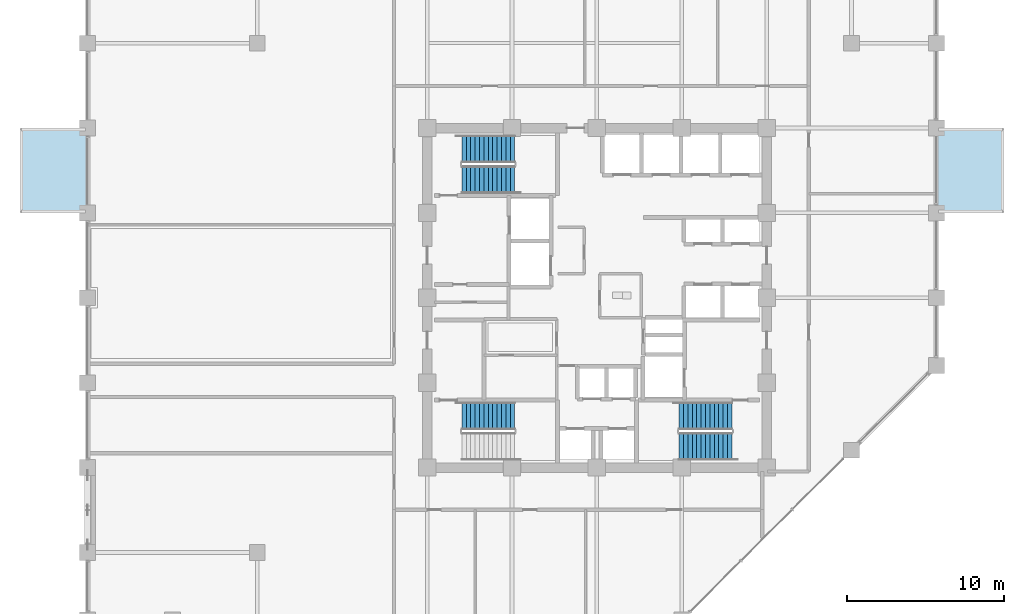
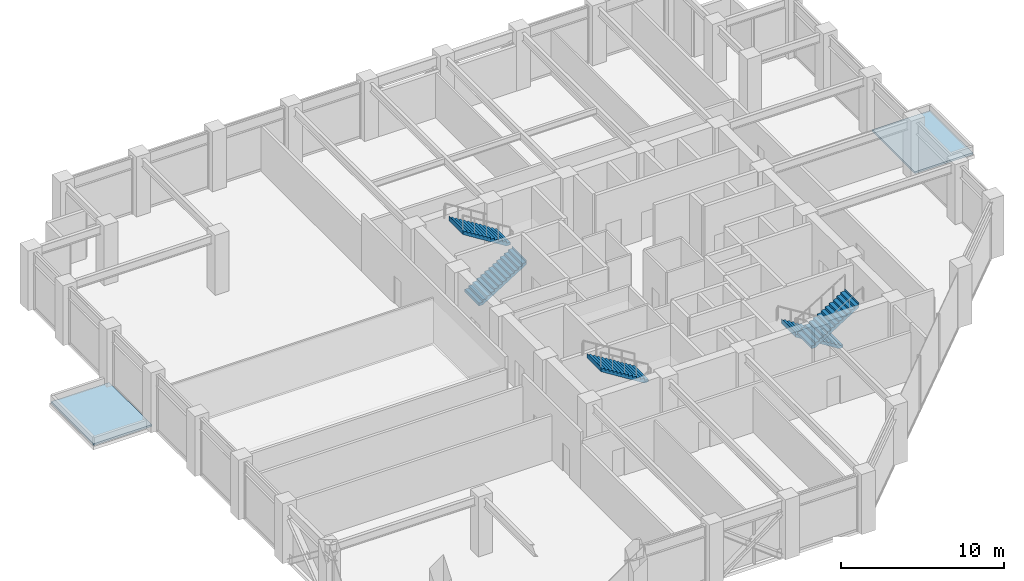
# One storey, part 22 of 25: 5 stair flights, 2 roofs, 3 elements without a shape of their own.
"""IFC4 building model written with IfcOpenShell, lengths in metres."""

from ifc_helpers import new_model, si_unit, direction, frame, origin, place, context, subcontext, project, spatial, polyline, outline, extrude, material, layer, layer_set, type_object, element, aggregate, save


model = new_model("IFC4")

# Units and contexts
model_context = context("Model", 3, precision=1e-05, world=origin(), true_north=direction((0.0, 1.0)))
body_context = subcontext(model_context, "Body", "Model", "MODEL_VIEW")
ifc_project = project(units=[si_unit("LENGTHUNIT", "METRE"), si_unit("AREAUNIT", "SQUARE_METRE"), si_unit("VOLUMEUNIT", "CUBIC_METRE"), si_unit("PLANEANGLEUNIT", "RADIAN"), si_unit("MASSUNIT", "GRAM", prefix="KILO")], contexts=[model_context])

# Site, building, storey
site_placement = place(None, origin())
site = spatial("IfcSite", under=ifc_project, at=site_placement, CompositionType="ELEMENT")
building_placement = place(site_placement, origin())
building = spatial("IfcBuilding", under=site, at=building_placement, Name="Surkhivell Harbour Commons", CompositionType="ELEMENT")
storey_placement = place(building_placement, frame((0.0, 0.0, 162.0)))
storey = spatial("IfcBuildingStorey", under=building, at=storey_placement, Name="L42", CompositionType="ELEMENT", Elevation=162.0)

# Stair, stair flights
ifc_material_1 = material(Name="Precast concrete C45/55", Category="concrete")
stair_type = type_object("IfcStairType", Name="STR-DL-450", PredefinedType="HALF_TURN_STAIR", material=ifc_material_1)
stair_1_placement = place(storey_placement, origin())
stair_1 = element("IfcStair", 1, at=stair_1_placement, inside=storey, type_object=stair_type, Name="L42 Core Exit Stair ST1", PredefinedType="HALF_TURN_STAIR")
stair_flight_type = type_object("IfcStairFlightType", Name="STF-DL-450", PredefinedType="STRAIGHT", material=ifc_material_1)
stair_flight_1_placement = place(storey_placement, frame((-8.590087890625, 7.514892578125, 0.0), z_axis=(0.0, 0.0, 1.0), x_axis=(1.0, 0.0, 0.0)))
stair_flight_1 = element("IfcStairFlight", 2, at=stair_flight_1_placement, type_object=stair_flight_type, Name="ST1 flight 1", NumberOfRisers=13, NumberOfTreads=12, PredefinedType="STRAIGHT", RiserHeight=0.173076923, TreadLength=0.28, context=body_context, shape_type="SweptSolid", body=[
    extrude(outline(polyline([(-0.0029296875, -0.034912109375), (-0.0029296875, 0.0), (0.0, 0.0), (0.0, 0.173095703125), (0.280029296875, 0.173095703125), (0.280029296875, 0.34619140625), (0.56005859375, 0.34619140625), (0.56005859375, 0.519287109375), (0.840087890625, 0.519287109375), (0.840087890625, 0.6923828125), (1.1201171875, 0.6923828125), (1.1201171875, 0.865478515625), (1.39990234375, 0.865478515625), (1.39990234375, 1.03857421875), (1.679931640625, 1.03857421875), (1.679931640625, 1.21142578125), (1.9599609375, 1.21142578125), (1.9599609375, 1.384521484375), (2.239990234375, 1.384521484375), (2.239990234375, 1.5576171875), (2.52001953125, 1.5576171875), (2.52001953125, 1.730712890625), (2.800048828125, 1.730712890625), (2.800048828125, 1.90380859375), (3.080078125, 1.90380859375), (3.080078125, 2.076904296875), (3.360107421875, 2.076904296875), (3.360107421875, 2.25), (3.363037109375, 2.25), (3.363037109375, 1.900634765625), (0.28515625, -0.034912109375), (-0.0029296875, -0.034912109375)])), frame((0.0, 0.875, 0.0), z_axis=(0.0, -1.0, 0.0), x_axis=(1.0, 0.0, 0.0)), (0.0, 0.0, 1.0), 1.75),
])
stair_flight_2_placement = place(storey_placement, frame((-5.22998046875, 9.465087890625, 2.25), z_axis=(0.0, 0.0, 1.0), x_axis=(-1.0, 0.0, 0.0)))
stair_flight_2 = element("IfcStairFlight", 3, at=stair_flight_2_placement, type_object=stair_flight_type, Name="ST1 flight 2", NumberOfRisers=13, NumberOfTreads=12, PredefinedType="STRAIGHT", RiserHeight=0.173076923, TreadLength=0.28, context=body_context, shape_type="SweptSolid", body=[
    extrude(outline(polyline([(-0.0029296875, -0.034912109375), (-0.0029296875, 0.0), (0.0, 0.0), (0.0, 0.173095703125), (0.280029296875, 0.173095703125), (0.280029296875, 0.34619140625), (0.56005859375, 0.34619140625), (0.56005859375, 0.519287109375), (0.840087890625, 0.519287109375), (0.840087890625, 0.6923828125), (1.1201171875, 0.6923828125), (1.1201171875, 0.865478515625), (1.39990234375, 0.865478515625), (1.39990234375, 1.03857421875), (1.679931640625, 1.03857421875), (1.679931640625, 1.21142578125), (1.9599609375, 1.21142578125), (1.9599609375, 1.384521484375), (2.239990234375, 1.384521484375), (2.239990234375, 1.5576171875), (2.52001953125, 1.5576171875), (2.52001953125, 1.730712890625), (2.800048828125, 1.730712890625), (2.800048828125, 1.90380859375), (3.080078125, 1.90380859375), (3.080078125, 2.076904296875), (3.360107421875, 2.076904296875), (3.360107421875, 2.25), (3.363037109375, 2.25), (3.363037109375, 1.900634765625), (0.28515625, -0.034912109375), (-0.0029296875, -0.034912109375)])), frame((0.0, 0.875, 0.0), z_axis=(0.0, -1.0, 0.0), x_axis=(1.0, 0.0, 0.0)), (0.0, 0.0, 1.0), 1.75),
])
aggregate(stair_1, [stair_flight_1, stair_flight_2])

stair_2_placement = place(storey_placement, origin())
stair_2 = element("IfcStair", 4, at=stair_2_placement, inside=storey, type_object=stair_type, Name="L42 Core Exit Stair ST2", PredefinedType="HALF_TURN_STAIR")
stair_flight_3_placement = place(storey_placement, frame((8.590087890625, -7.514892578125, 0.0), z_axis=(0.0, 0.0, 1.0), x_axis=(-1.0, 0.0, 0.0)))
stair_flight_3 = element("IfcStairFlight", 5, at=stair_flight_3_placement, type_object=stair_flight_type, Name="ST2 flight 1", NumberOfRisers=13, NumberOfTreads=12, PredefinedType="STRAIGHT", RiserHeight=0.173076923, TreadLength=0.28, context=body_context, shape_type="SweptSolid", body=[
    extrude(outline(polyline([(-0.0029296875, -0.034912109375), (-0.0029296875, 0.0), (0.0, 0.0), (0.0, 0.173095703125), (0.280029296875, 0.173095703125), (0.280029296875, 0.34619140625), (0.56005859375, 0.34619140625), (0.56005859375, 0.519287109375), (0.840087890625, 0.519287109375), (0.840087890625, 0.6923828125), (1.1201171875, 0.6923828125), (1.1201171875, 0.865478515625), (1.39990234375, 0.865478515625), (1.39990234375, 1.03857421875), (1.679931640625, 1.03857421875), (1.679931640625, 1.21142578125), (1.9599609375, 1.21142578125), (1.9599609375, 1.384521484375), (2.239990234375, 1.384521484375), (2.239990234375, 1.5576171875), (2.52001953125, 1.5576171875), (2.52001953125, 1.730712890625), (2.800048828125, 1.730712890625), (2.800048828125, 1.90380859375), (3.080078125, 1.90380859375), (3.080078125, 2.076904296875), (3.360107421875, 2.076904296875), (3.360107421875, 2.25), (3.363037109375, 2.25), (3.363037109375, 1.900634765625), (0.28515625, -0.034912109375), (-0.0029296875, -0.034912109375)])), frame((0.0, 0.875, 0.0), z_axis=(0.0, -1.0, 0.0), x_axis=(1.0, 0.0, 0.0)), (0.0, 0.0, 1.0), 1.75),
])
stair_flight_4_placement = place(storey_placement, frame((5.22998046875, -9.465087890625, 2.25), z_axis=(0.0, 0.0, 1.0), x_axis=(1.0, 0.0, 0.0)))
stair_flight_4 = element("IfcStairFlight", 6, at=stair_flight_4_placement, type_object=stair_flight_type, Name="ST2 flight 2", NumberOfRisers=13, NumberOfTreads=12, PredefinedType="STRAIGHT", RiserHeight=0.173076923, TreadLength=0.28, context=body_context, shape_type="SweptSolid", body=[
    extrude(outline(polyline([(-0.0029296875, -0.034912109375), (-0.0029296875, 0.0), (0.0, 0.0), (0.0, 0.173095703125), (0.280029296875, 0.173095703125), (0.280029296875, 0.34619140625), (0.56005859375, 0.34619140625), (0.56005859375, 0.519287109375), (0.840087890625, 0.519287109375), (0.840087890625, 0.6923828125), (1.1201171875, 0.6923828125), (1.1201171875, 0.865478515625), (1.39990234375, 0.865478515625), (1.39990234375, 1.03857421875), (1.679931640625, 1.03857421875), (1.679931640625, 1.21142578125), (1.9599609375, 1.21142578125), (1.9599609375, 1.384521484375), (2.239990234375, 1.384521484375), (2.239990234375, 1.5576171875), (2.52001953125, 1.5576171875), (2.52001953125, 1.730712890625), (2.800048828125, 1.730712890625), (2.800048828125, 1.90380859375), (3.080078125, 1.90380859375), (3.080078125, 2.076904296875), (3.360107421875, 2.076904296875), (3.360107421875, 2.25), (3.363037109375, 2.25), (3.363037109375, 1.900634765625), (0.28515625, -0.034912109375), (-0.0029296875, -0.034912109375)])), frame((0.0, 0.875, 0.0), z_axis=(0.0, -1.0, 0.0), x_axis=(1.0, 0.0, 0.0)), (0.0, 0.0, 1.0), 1.75),
])
aggregate(stair_2, [stair_flight_3, stair_flight_4])

# Stair, stair flight
stair_3_placement = place(storey_placement, origin())
stair_3 = element("IfcStair", 7, at=stair_3_placement, inside=storey, type_object=stair_type, Name="L42 Core Exit Stair ST3", PredefinedType="HALF_TURN_STAIR")
stair_flight_5_placement = place(storey_placement, frame((-5.22998046875, -7.514892578125, 2.25), z_axis=(0.0, 0.0, 1.0), x_axis=(-1.0, 0.0, 0.0)))
stair_flight_5 = element("IfcStairFlight", 8, at=stair_flight_5_placement, type_object=stair_flight_type, Name="ST3 flight 2", NumberOfRisers=13, NumberOfTreads=12, PredefinedType="STRAIGHT", RiserHeight=0.173076923, TreadLength=0.28, context=body_context, shape_type="SweptSolid", body=[
    extrude(outline(polyline([(-0.0029296875, -0.034912109375), (-0.0029296875, 0.0), (0.0, 0.0), (0.0, 0.173095703125), (0.280029296875, 0.173095703125), (0.280029296875, 0.34619140625), (0.56005859375, 0.34619140625), (0.56005859375, 0.519287109375), (0.840087890625, 0.519287109375), (0.840087890625, 0.6923828125), (1.1201171875, 0.6923828125), (1.1201171875, 0.865478515625), (1.39990234375, 0.865478515625), (1.39990234375, 1.03857421875), (1.679931640625, 1.03857421875), (1.679931640625, 1.21142578125), (1.9599609375, 1.21142578125), (1.9599609375, 1.384521484375), (2.239990234375, 1.384521484375), (2.239990234375, 1.5576171875), (2.52001953125, 1.5576171875), (2.52001953125, 1.730712890625), (2.800048828125, 1.730712890625), (2.800048828125, 1.90380859375), (3.080078125, 1.90380859375), (3.080078125, 2.076904296875), (3.360107421875, 2.076904296875), (3.360107421875, 2.25), (3.363037109375, 2.25), (3.363037109375, 1.900634765625), (0.28515625, -0.034912109375), (-0.0029296875, -0.034912109375)])), frame((0.0, 0.875, 0.0), z_axis=(0.0, -1.0, 0.0), x_axis=(1.0, 0.0, 0.0)), (0.0, 0.0, 1.0), 1.75),
])
aggregate(stair_3, [stair_flight_5])

# Roofs
ifc_material_2 = material(Name="Vermilion-coral and saffron enamelled aluminium box roof cap", Category="aluminium")
ifc_layer = layer(ifc_material_2, 0.139892578125)
ifc_layer_set = layer_set([ifc_layer], Name="Vermilion-coral and saffron enamelled aluminium box roof cap")
roof_type = type_object("IfcRoofType", Name="ROF-BOX-CAP", PredefinedType="FLAT_ROOF", material=ifc_layer_set)
roof_1_placement = place(storey_placement, origin())
element("IfcRoof", 9, at=roof_1_placement, inside=storey, type_object=roof_type, Name="L42 Closed Coloured Box Roof Cap 1-1", PredefinedType="FLAT_ROOF", context=body_context, shape_type="SweptSolid", body=[
    extrude(outline(polyline([(21.699951171875, 10.719970703125), (21.699951171875, 5.47998046875), (25.820068359375, 5.47998046875), (25.820068359375, 10.719970703125), (21.699951171875, 10.719970703125)])), origin(), (0.0, 0.0, 1.0), 0.139892578125),
])
roof_2_placement = place(storey_placement, origin())
element("IfcRoof", 10, at=roof_2_placement, inside=storey, type_object=roof_type, Name="L42 Closed Coloured Box Roof Cap 2-1", PredefinedType="FLAT_ROOF", context=body_context, shape_type="SweptSolid", body=[
    extrude(outline(polyline([(-32.5, 5.47998046875), (-32.5, 10.719970703125), (-36.6201171875, 10.719970703125), (-36.6201171875, 5.47998046875), (-32.5, 5.47998046875)])), origin(), (0.0, 0.0, 1.0), 0.139892578125),
])

save(model, "model.ifc")
